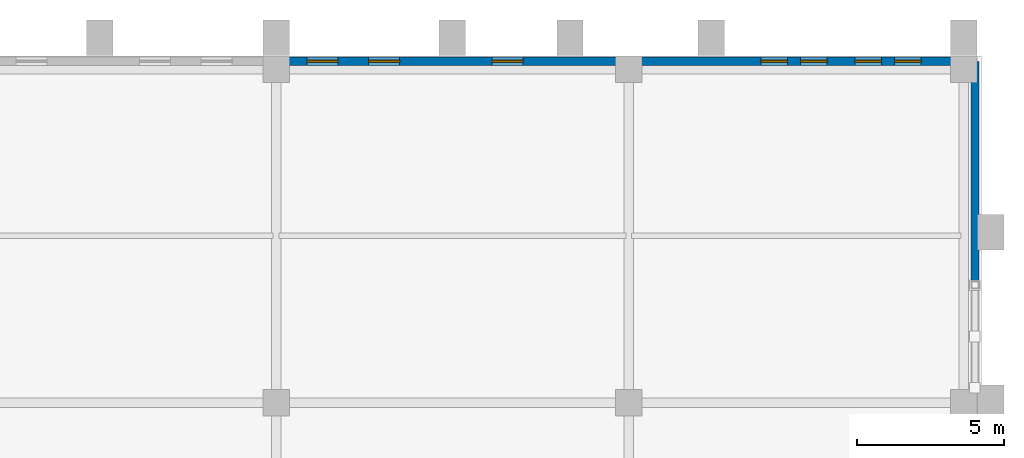
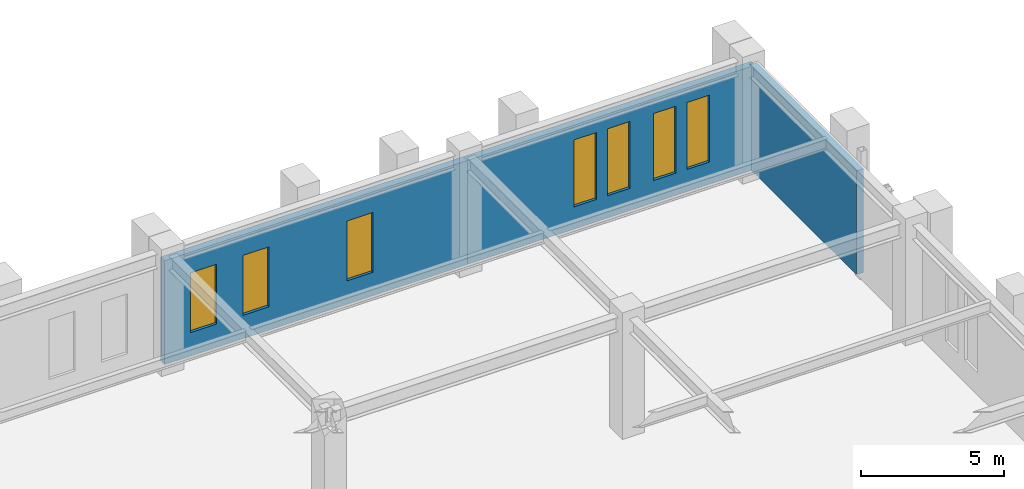
# One storey, part 139 of 159: 7 windows, 3 walls, 7 openings.
"""IFC4 building model written with IfcOpenShell, lengths in metres."""

from ifc_helpers import new_model, si_unit, derived_unit, direction, frame, frame_2d, origin, place, context, subcontext, project, spatial, rectangle, extrude, material, layer, layer_set, type_object, element, fill, save


model = new_model("IFC4")

# Units and contexts
model_context = context("Model", 3, precision=1e-05, world=origin(), true_north=direction((0.0, 1.0)))
body_context = subcontext(model_context, "Body", "Model", "MODEL_VIEW")
ifc_project = project(units=[si_unit("LENGTHUNIT", "METRE"), si_unit("AREAUNIT", "SQUARE_METRE"), si_unit("VOLUMEUNIT", "CUBIC_METRE"), si_unit("PLANEANGLEUNIT", "RADIAN"), si_unit("MASSUNIT", "GRAM", prefix="KILO"), derived_unit("THERMALTRANSMITTANCEUNIT", [(si_unit("MASSUNIT", "GRAM", prefix="KILO"), 1), (si_unit("TIMEUNIT", "SECOND"), -3), (si_unit("THERMODYNAMICTEMPERATUREUNIT", "KELVIN"), -1)])], contexts=[model_context])

# Site, building, storey
site_placement = place(None, origin())
site = spatial("IfcSite", under=ifc_project, at=site_placement, CompositionType="ELEMENT")
building_placement = place(site_placement, origin())
building = spatial("IfcBuilding", under=site, at=building_placement, Name="Valcora Ridge Arena", CompositionType="ELEMENT")
storey_placement = place(building_placement, frame((0.0, 0.0, 6.0)))
storey = spatial("IfcBuildingStorey", under=building, at=storey_placement, Name="L01", CompositionType="ELEMENT", Elevation=6.0)

# Wall, openings, windows
ifc_material_1 = material(Name="Bush-hammered Andean travertine on concrete backup C40/50", Category="masonry")
ifc_layer = layer(ifc_material_1, 0.280029296875, Name="Bush-hammered Andean travertine on concrete backup C40/50")
ifc_layer_set = layer_set([ifc_layer], Name="Bush-hammered Andean travertine on concrete backup C40/50")
wall_type = type_object("IfcWallType", Name="TY-WALL-EW-TRV-28-44", PredefinedType="STANDARD", material=ifc_layer_set)
wall_1_placement = place(storey_placement, frame((168.0, 131.820068359375, 0.0), z_axis=(0.0, 0.0, 1.0), x_axis=(1.0, 0.0, 0.0)))
wall_1 = element("IfcWall", 1, at=wall_1_placement, inside=storey, type_object=wall_type, Name="EW-TRV-28-44 WAL-EW-0148", PredefinedType="STANDARD", context=body_context, shape_type="SweptSolid", body=[
    extrude(rectangle(XDim=12.199951171875, YDim=0.280029296875, at=frame_2d((6.10009765625, 0.0))), origin(), (0.0, 0.0, 1.0), 4.427978515625),
])
opening_1_placement = place(wall_1_placement, frame((1.050048828125, 0.0, 1.0)))
opening_1 = element("IfcOpeningElement", 2, at=opening_1_placement, cuts=wall_1, Name="Opening W-LAN-105X255", PredefinedType="OPENING", context=body_context, shape_type="SweptSolid", body=[
    extrude(rectangle(XDim=1.050048828125, YDim=2.550048828125, at=frame_2d((0.52490234375, 1.27490234375))), frame((0.0, 0.14990234375, 0.0), z_axis=(0.0, -1.0, 0.0), x_axis=(1.0, 0.0, 0.0)), (0.0, 0.0, 1.0), 0.300048828125),
])
opening_2_placement = place(wall_1_placement, frame((3.14990234375, 0.0, 1.0)))
opening_2 = element("IfcOpeningElement", 3, at=opening_2_placement, cuts=wall_1, Name="Opening W-LAN-105X255", PredefinedType="OPENING", context=body_context, shape_type="SweptSolid", body=[
    extrude(rectangle(XDim=1.050048828125, YDim=2.550048828125, at=frame_2d((0.52490234375, 1.27490234375))), frame((0.0, 0.14990234375, 0.0), z_axis=(0.0, -1.0, 0.0), x_axis=(1.0, 0.0, 0.0)), (0.0, 0.0, 1.0), 0.300048828125),
])
opening_3_placement = place(wall_1_placement, frame((7.35009765625, 0.0, 1.0)))
opening_3 = element("IfcOpeningElement", 4, at=opening_3_placement, cuts=wall_1, Name="Opening W-LAN-105X255", PredefinedType="OPENING", context=body_context, shape_type="SweptSolid", body=[
    extrude(rectangle(XDim=1.050048828125, YDim=2.550048828125, at=frame_2d((0.52490234375, 1.27490234375))), frame((0.0, 0.14990234375, 0.0), z_axis=(0.0, -1.0, 0.0), x_axis=(1.0, 0.0, 0.0)), (0.0, 0.0, 1.0), 0.300048828125),
])
ifc_material_2 = material(Name="Low-iron solar-control double glazing SHGC 0.28", Category="glass")
window_type_1 = type_object("IfcWindowType", Name="TY-WINDOW-W-LAN-105X255", PartitioningType="DOUBLE_PANEL_VERTICAL", PredefinedType="WINDOW", material=ifc_material_2)
window_1_placement = place(opening_1_placement, origin())
window_1 = element("IfcWindow", 5, at=window_1_placement, inside=storey, type_object=window_type_1, Name="W-LAN-105X255 WIN-EX-0451", OverallHeight=2.550048828125, OverallWidth=1.050048828125, PartitioningType="DOUBLE_PANEL_VERTICAL", PredefinedType="WINDOW", context=body_context, shape_type="SweptSolid", body=[
    extrude(rectangle(XDim=1.050048828125, YDim=2.550048828125, at=frame_2d((0.52490234375, 1.27490234375))), frame((0.0, 0.030029296875, 0.0), z_axis=(0.0, -1.0, 0.0), x_axis=(1.0, 0.0, 0.0)), (0.0, 0.0, 1.0), 0.06005859375),
])
fill(opening_1, window_1)
window_2_placement = place(opening_2_placement, origin())
window_2 = element("IfcWindow", 6, at=window_2_placement, inside=storey, type_object=window_type_1, Name="W-LAN-105X255 WIN-EX-0452", OverallHeight=2.550048828125, OverallWidth=1.050048828125, PartitioningType="DOUBLE_PANEL_VERTICAL", PredefinedType="WINDOW", context=body_context, shape_type="SweptSolid", body=[
    extrude(rectangle(XDim=1.050048828125, YDim=2.550048828125, at=frame_2d((0.52490234375, 1.27490234375))), frame((0.0, 0.030029296875, 0.0), z_axis=(0.0, -1.0, 0.0), x_axis=(1.0, 0.0, 0.0)), (0.0, 0.0, 1.0), 0.06005859375),
])
fill(opening_2, window_2)
window_3_placement = place(opening_3_placement, origin())
window_3 = element("IfcWindow", 7, at=window_3_placement, inside=storey, type_object=window_type_1, Name="W-LAN-105X255 WIN-EX-0453", OverallHeight=2.550048828125, OverallWidth=1.050048828125, PartitioningType="DOUBLE_PANEL_VERTICAL", PredefinedType="WINDOW", context=body_context, shape_type="SweptSolid", body=[
    extrude(rectangle(XDim=1.050048828125, YDim=2.550048828125, at=frame_2d((0.52490234375, 1.27490234375))), frame((0.0, 0.030029296875, 0.0), z_axis=(0.0, -1.0, 0.0), x_axis=(1.0, 0.0, 0.0)), (0.0, 0.0, 1.0), 0.06005859375),
])
fill(opening_3, window_3)

wall_2_placement = place(storey_placement, frame((180.199951171875, 131.820068359375, 0.0), z_axis=(0.0, 0.0, 1.0), x_axis=(1.0, 0.0, 0.0)))
wall_2 = element("IfcWall", 8, at=wall_2_placement, inside=storey, type_object=wall_type, Name="EW-TRV-28-44 WAL-EW-0149", PredefinedType="STANDARD", context=body_context, shape_type="SweptSolid", body=[
    extrude(rectangle(XDim=11.580078125, YDim=0.280029296875, at=frame_2d((5.7900390625, 0.0))), origin(), (0.0, 0.0, 1.0), 4.427978515625),
])
opening_4_placement = place(wall_2_placement, frame((4.300048828125, 0.0, 0.949951171875)))
opening_4 = element("IfcOpeningElement", 9, at=opening_4_placement, cuts=wall_2, Name="Opening W-GLAN-90X285", PredefinedType="OPENING", context=body_context, shape_type="SweptSolid", body=[
    extrude(rectangle(XDim=0.89990234375, YDim=2.85009765625, at=frame_2d((0.449951171875, 1.425048828125))), frame((0.0, 0.14990234375, 0.0), z_axis=(0.0, -1.0, 0.0), x_axis=(1.0, 0.0, 0.0)), (0.0, 0.0, 1.0), 0.300048828125),
])
opening_5_placement = place(wall_2_placement, frame((5.64990234375, 0.0, 0.949951171875)))
opening_5 = element("IfcOpeningElement", 10, at=opening_5_placement, cuts=wall_2, Name="Opening W-GLAN-90X285", PredefinedType="OPENING", context=body_context, shape_type="SweptSolid", body=[
    extrude(rectangle(XDim=0.89990234375, YDim=2.85009765625, at=frame_2d((0.449951171875, 1.425048828125))), frame((0.0, 0.14990234375, 0.0), z_axis=(0.0, -1.0, 0.0), x_axis=(1.0, 0.0, 0.0)), (0.0, 0.0, 1.0), 0.300048828125),
])
opening_6_placement = place(wall_2_placement, frame((7.5, 0.0, 0.949951171875)))
opening_6 = element("IfcOpeningElement", 11, at=opening_6_placement, cuts=wall_2, Name="Opening W-GLAN-90X285", PredefinedType="OPENING", context=body_context, shape_type="SweptSolid", body=[
    extrude(rectangle(XDim=0.89990234375, YDim=2.85009765625, at=frame_2d((0.449951171875, 1.425048828125))), frame((0.0, 0.14990234375, 0.0), z_axis=(0.0, -1.0, 0.0), x_axis=(1.0, 0.0, 0.0)), (0.0, 0.0, 1.0), 0.300048828125),
])
opening_7_placement = place(wall_2_placement, frame((8.85009765625, 0.0, 0.949951171875)))
opening_7 = element("IfcOpeningElement", 12, at=opening_7_placement, cuts=wall_2, Name="Opening W-GLAN-90X285", PredefinedType="OPENING", context=body_context, shape_type="SweptSolid", body=[
    extrude(rectangle(XDim=0.89990234375, YDim=2.85009765625, at=frame_2d((0.449951171875, 1.425048828125))), frame((0.0, 0.14990234375, 0.0), z_axis=(0.0, -1.0, 0.0), x_axis=(1.0, 0.0, 0.0)), (0.0, 0.0, 1.0), 0.300048828125),
])
window_type_2 = type_object("IfcWindowType", Name="TY-WINDOW-W-GLAN-90X285", PartitioningType="DOUBLE_PANEL_VERTICAL", PredefinedType="WINDOW", material=ifc_material_2)
window_4_placement = place(opening_4_placement, origin())
window_4 = element("IfcWindow", 13, at=window_4_placement, inside=storey, type_object=window_type_2, Name="W-GLAN-90X285 WIN-EX-0454", OverallHeight=2.85009765625, OverallWidth=0.89990234375, PartitioningType="DOUBLE_PANEL_VERTICAL", PredefinedType="WINDOW", context=body_context, shape_type="SweptSolid", body=[
    extrude(rectangle(XDim=0.89990234375, YDim=2.85009765625, at=frame_2d((0.449951171875, 1.425048828125))), frame((0.0, 0.030029296875, 0.0), z_axis=(0.0, -1.0, 0.0), x_axis=(1.0, 0.0, 0.0)), (0.0, 0.0, 1.0), 0.06005859375),
])
fill(opening_4, window_4)
window_5_placement = place(opening_5_placement, origin())
window_5 = element("IfcWindow", 14, at=window_5_placement, inside=storey, type_object=window_type_2, Name="W-GLAN-90X285 WIN-EX-0455", OverallHeight=2.85009765625, OverallWidth=0.89990234375, PartitioningType="DOUBLE_PANEL_VERTICAL", PredefinedType="WINDOW", context=body_context, shape_type="SweptSolid", body=[
    extrude(rectangle(XDim=0.89990234375, YDim=2.85009765625, at=frame_2d((0.449951171875, 1.425048828125))), frame((0.0, 0.030029296875, 0.0), z_axis=(0.0, -1.0, 0.0), x_axis=(1.0, 0.0, 0.0)), (0.0, 0.0, 1.0), 0.06005859375),
])
fill(opening_5, window_5)
window_6_placement = place(opening_6_placement, origin())
window_6 = element("IfcWindow", 15, at=window_6_placement, inside=storey, type_object=window_type_2, Name="W-GLAN-90X285 WIN-EX-0456", OverallHeight=2.85009765625, OverallWidth=0.89990234375, PartitioningType="DOUBLE_PANEL_VERTICAL", PredefinedType="WINDOW", context=body_context, shape_type="SweptSolid", body=[
    extrude(rectangle(XDim=0.89990234375, YDim=2.85009765625, at=frame_2d((0.449951171875, 1.425048828125))), frame((0.0, 0.030029296875, 0.0), z_axis=(0.0, -1.0, 0.0), x_axis=(1.0, 0.0, 0.0)), (0.0, 0.0, 1.0), 0.06005859375),
])
fill(opening_6, window_6)
window_7_placement = place(opening_7_placement, origin())
window_7 = element("IfcWindow", 16, at=window_7_placement, inside=storey, type_object=window_type_2, Name="W-GLAN-90X285 WIN-EX-0457", OverallHeight=2.85009765625, OverallWidth=0.89990234375, PartitioningType="DOUBLE_PANEL_VERTICAL", PredefinedType="WINDOW", context=body_context, shape_type="SweptSolid", body=[
    extrude(rectangle(XDim=0.89990234375, YDim=2.85009765625, at=frame_2d((0.449951171875, 1.425048828125))), frame((0.0, 0.030029296875, 0.0), z_axis=(0.0, -1.0, 0.0), x_axis=(1.0, 0.0, 0.0)), (0.0, 0.0, 1.0), 0.06005859375),
])
fill(opening_7, window_7)

# Wall
wall_3_placement = place(storey_placement, frame((191.780029296875, 124.35009765625, 0.0), z_axis=(0.0, 0.0, 1.0), x_axis=(0.0, 1.0, 0.0)))
element("IfcWall", 17, at=wall_3_placement, inside=storey, type_object=wall_type, Name="EW-TRV-28-44 WAL-EW-0154", PredefinedType="STANDARD", context=body_context, shape_type="SweptSolid", body=[
    extrude(rectangle(XDim=7.449951171875, YDim=0.280029296875, at=frame_2d((3.72509765625, 0.0))), origin(), (0.0, 0.0, 1.0), 4.427978515625),
])

save(model, "model.ifc")
